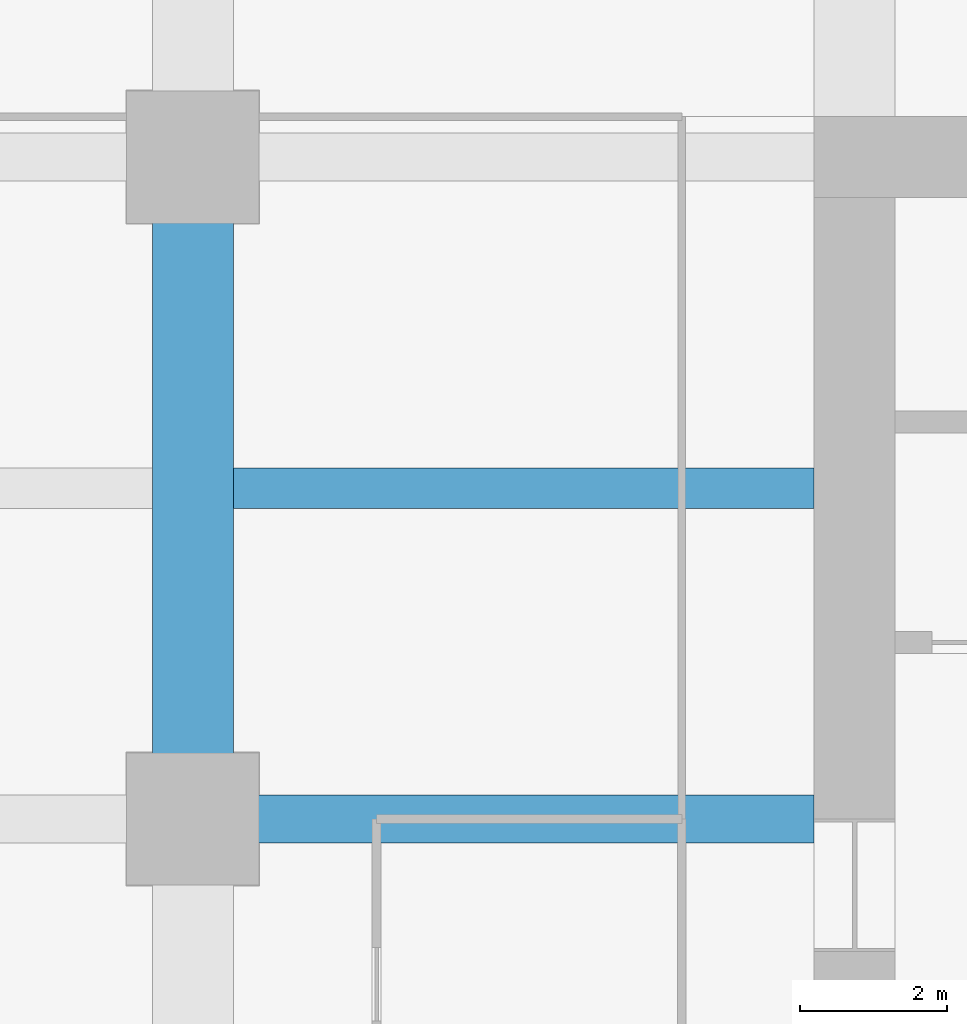
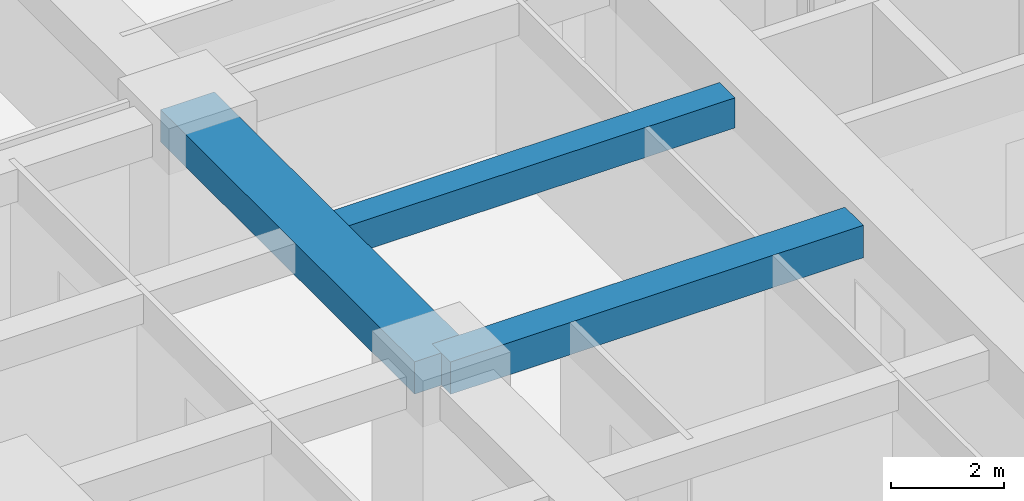
# One storey, part 12 of 41: 3 beams.
"""IFC4 building model written with IfcOpenShell, lengths in metres."""

from ifc_helpers import new_model, si_unit, direction, frame, origin, origin_2d, place, context, subcontext, project, spatial, rectangle, extrude, material, material_profile, profile_set, type_object, element, save


model = new_model("IFC4")

# Units and contexts
model_context = context("Model", 3, precision=1e-05, world=origin(), true_north=direction((0.0, 1.0)))
body_context = subcontext(model_context, "Body", "Model", "MODEL_VIEW")
ifc_project = project(units=[si_unit("LENGTHUNIT", "METRE"), si_unit("AREAUNIT", "SQUARE_METRE"), si_unit("VOLUMEUNIT", "CUBIC_METRE"), si_unit("PLANEANGLEUNIT", "RADIAN"), si_unit("MASSUNIT", "GRAM", prefix="KILO")], contexts=[model_context])

# Site, building, storey
site_placement = place(None, origin())
site = spatial("IfcSite", under=ifc_project, at=site_placement, CompositionType="ELEMENT")
building_placement = place(site_placement, origin())
building = spatial("IfcBuilding", under=site, at=building_placement, Name="Zorevar Civic Tower", CompositionType="ELEMENT")
storey_placement = place(building_placement, frame((0.0, 0.0, 137.0)))
storey = spatial("IfcBuildingStorey", under=building, at=storey_placement, Name="L33", CompositionType="ELEMENT", Elevation=137.0)

# Beams
ifc_material_1 = material(Name="Concrete C50/60", Category="concrete")
ifc_material_profile_1 = material_profile(ifc_material_1, rectangle(XDim=1.10009765625, YDim=0.699951171875, at=origin_2d()), Name="RC 1100x700")
ifc_profile_set_1 = profile_set([ifc_material_profile_1], Name="Concrete C50/60")
beam_type_1 = type_object("IfcBeamType", Name="Beam RC 1100x700", PredefinedType="BEAM", material=ifc_profile_set_1)
beam_1_placement = place(storey_placement, frame((9.0, 27.0, 3.39990234375), z_axis=(0.0, 1.0, 0.0), x_axis=(-1.0, 0.0, 0.0)))
element("IfcBeam", 1, at=beam_1_placement, inside=storey, type_object=beam_type_1, Name="Girder L34", PredefinedType="BEAM", context=body_context, shape_type="SweptSolid", body=[
    extrude(rectangle(XDim=1.10009765625, YDim=0.699951171875, at=origin_2d()), origin(), (0.0, 0.0, 1.0), 9.0),
])
ifc_material_2 = material(Name="Concrete C50/60", Category="concrete")
ifc_material_profile_2 = material_profile(ifc_material_2, rectangle(XDim=0.550048828125, YDim=0.64990234375, at=origin_2d()), Name="RC 550x650")
ifc_profile_set_2 = profile_set([ifc_material_profile_2], Name="Concrete C50/60")
beam_type_2 = type_object("IfcBeamType", Name="Beam RC 550x650", PredefinedType="BEAM", material=ifc_profile_set_2)
beam_2_placement = place(storey_placement, frame((9.550048828125, 31.5, 3.425048828125), z_axis=(1.0, 0.0, 0.0), x_axis=(0.0, 1.0, 0.0)))
element("IfcBeam", 2, at=beam_2_placement, inside=storey, type_object=beam_type_2, Name="Secondary beam L34", PredefinedType="BEAM", context=body_context, shape_type="SweptSolid", body=[
    extrude(rectangle(XDim=0.550048828125, YDim=0.64990234375, at=origin_2d()), origin(), (0.0, 0.0, 1.0), 7.89990234375),
])
ifc_material_3 = material(Name="Concrete C50/60", Category="concrete")
ifc_material_profile_3 = material_profile(ifc_material_3, rectangle(XDim=0.64990234375, YDim=0.699951171875, at=origin_2d()), Name="RC 650x700")
ifc_profile_set_3 = profile_set([ifc_material_profile_3], Name="Concrete C50/60")
beam_type_3 = type_object("IfcBeamType", Name="Beam RC 650x700", PredefinedType="BEAM", material=ifc_profile_set_3)
beam_3_placement = place(storey_placement, frame((9.0, 27.0, 3.39990234375), z_axis=(1.0, 0.0, 0.0), x_axis=(0.0, 1.0, 0.0)))
element("IfcBeam", 3, at=beam_3_placement, inside=storey, type_object=beam_type_3, Name="Girder L34", PredefinedType="BEAM", context=body_context, shape_type="SweptSolid", body=[
    extrude(rectangle(XDim=0.64990234375, YDim=0.699951171875, at=origin_2d()), origin(), (0.0, 0.0, 1.0), 8.449951171875),
])

save(model, "model.ifc")
